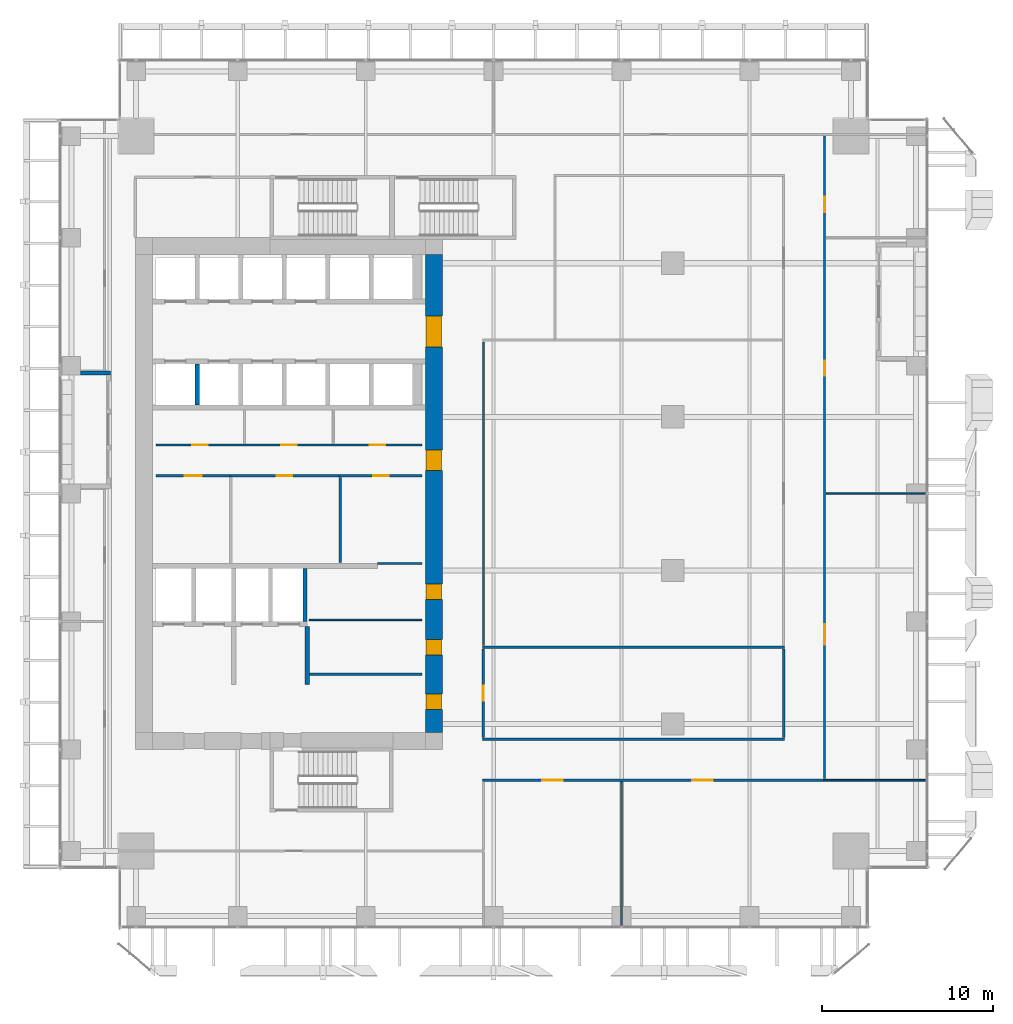
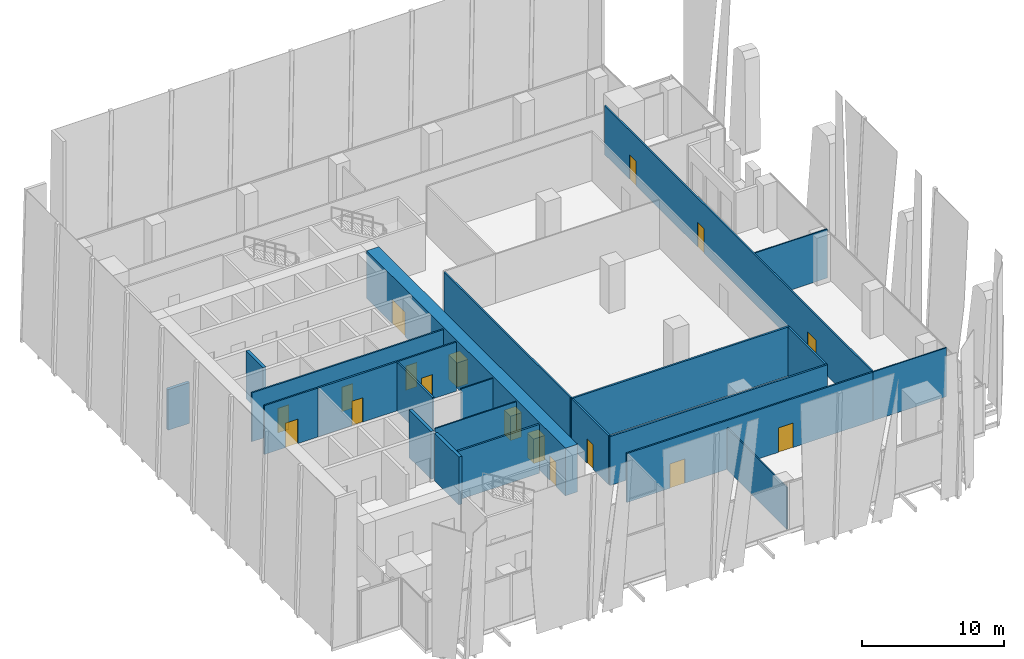
# One storey, part 28 of 35: 23 walls, 17 doors, 17 openings.
"""IFC4 building model written with IfcOpenShell, lengths in metres."""

from ifc_helpers import new_model, si_unit, direction, frame, frame_2d, origin, place, context, subcontext, project, spatial, rectangle, extrude, source, transform, mapped, material, layer, layer_set, type_object, element, fill, save


model = new_model("IFC4")

# Units and contexts
model_context = context("Model", 3, precision=1e-05, world=origin(), true_north=direction((0.0, 1.0)))
body_context = subcontext(model_context, "Body", "Model", "MODEL_VIEW")
ifc_project = project(units=[si_unit("LENGTHUNIT", "METRE"), si_unit("AREAUNIT", "SQUARE_METRE"), si_unit("VOLUMEUNIT", "CUBIC_METRE"), si_unit("PLANEANGLEUNIT", "RADIAN"), si_unit("MASSUNIT", "GRAM", prefix="KILO")], contexts=[model_context])

# Site, building, storey
site_placement = place(None, origin())
site = spatial("IfcSite", under=ifc_project, at=site_placement, CompositionType="ELEMENT")
building_placement = place(site_placement, origin())
building = spatial("IfcBuilding", under=site, at=building_placement, Name="Khomas Fold Tower", CompositionType="ELEMENT")
storey_placement = place(building_placement, frame((0.0, 0.0, 127.89990234375)))
storey = spatial("IfcBuildingStorey", under=building, at=storey_placement, Name="L27", CompositionType="ELEMENT", Elevation=127.89990234375)

# Wall, openings, doors
ifc_material_1 = material(Name="Concrete C70/85", Category="concrete")
ifc_layer_1 = layer(ifc_material_1, 1.0)
ifc_layer_set_1 = layer_set([ifc_layer_1], Name="Concrete C70/85")
wall_type_1 = type_object("IfcWallType", Name="Core wall 1000", PredefinedType="SHEAR", material=ifc_layer_set_1)
shared_shape_1 = source(origin(), body_context, "Body", "SweptSolid", [
    extrude(rectangle(XDim=28.0, YDim=1.0, at=frame_2d((14.0, 0.0))), origin(), (0.0, 0.0, 1.0), 4.10009765625),
])
wall_1_placement = place(storey_placement, frame((23.5, 13.0, 0.0), z_axis=(0.0, 0.0, 1.0), x_axis=(0.0, 1.0, 0.0)))
wall_1 = element("IfcWall", 1, at=wall_1_placement, inside=storey, type_object=wall_type_1, Name="Core wall CW-L-E-L21", PredefinedType="SHEAR", context=body_context, shape_type="MappedRepresentation", body=[
    mapped(shared_shape_1, transform((0.0, 0.0, 0.0))),
])
shared_shape_2 = source(origin(), body_context, "Body", "SweptSolid", [
    extrude(rectangle(XDim=1.800048828125, YDim=2.10009765625, at=frame_2d((0.89990234375, 1.050048828125))), frame((0.0, 0.510009765625, 0.0), z_axis=(0.0, -1.0, 0.0), x_axis=(1.0, 0.0, 0.0)), (0.0, 0.0, 1.0), 1.02001953125),
])
opening_1_placement = place(wall_1_placement, frame((22.60009765625, 0.0, 0.0)))
opening_1 = element("IfcOpeningElement", 2, at=opening_1_placement, cuts=wall_1, Name="Opening 0015", PredefinedType="OPENING", context=body_context, shape_type="MappedRepresentation", body=[
    mapped(shared_shape_2, transform((0.0, 0.0, 0.0))),
])
shared_shape_3 = source(origin(), body_context, "Body", "SweptSolid", [
    extrude(rectangle(XDim=1.199951171875, YDim=2.10009765625, at=frame_2d((0.60009765625, 1.050048828125))), frame((0.0, 0.510009765625, 0.0), z_axis=(0.0, -1.0, 0.0), x_axis=(1.0, 0.0, 0.0)), (0.0, 0.0, 1.0), 1.02001953125),
])
opening_2_placement = place(wall_1_placement, frame((15.35009765625, 0.0, 0.0)))
opening_2 = element("IfcOpeningElement", 3, at=opening_2_placement, cuts=wall_1, Name="Opening 0001", PredefinedType="OPENING", context=body_context, shape_type="MappedRepresentation", body=[
    mapped(shared_shape_3, transform((0.0, 0.0, 0.0))),
])
shared_shape_4 = source(origin(), body_context, "Body", "SweptSolid", [
    extrude(rectangle(XDim=0.89990234375, YDim=2.10009765625, at=frame_2d((0.449951171875, 1.050048828125))), frame((0.0, 0.510009765625, 0.0), z_axis=(0.0, -1.0, 0.0), x_axis=(1.0, 0.0, 0.0)), (0.0, 0.0, 1.0), 1.02001953125),
])
opening_3_placement = place(wall_1_placement, frame((1.35009765625, 0.0, 0.0)))
opening_3 = element("IfcOpeningElement", 4, at=opening_3_placement, cuts=wall_1, Name="Opening 0003", PredefinedType="OPENING", context=body_context, shape_type="MappedRepresentation", body=[
    mapped(shared_shape_4, transform((0.0, 0.0, 0.0))),
])
opening_4_placement = place(wall_1_placement, frame((4.550048828125, 0.0, 0.0)))
opening_4 = element("IfcOpeningElement", 5, at=opening_4_placement, cuts=wall_1, Name="Opening 0008", PredefinedType="OPENING", context=body_context, shape_type="MappedRepresentation", body=[
    mapped(shared_shape_4, transform((0.0, 0.0, 0.0))),
])
opening_5_placement = place(wall_1_placement, frame((7.800048828125, 0.0, 0.0)))
opening_5 = element("IfcOpeningElement", 6, at=opening_5_placement, cuts=wall_1, Name="Opening 0008", PredefinedType="OPENING", context=body_context, shape_type="MappedRepresentation", body=[
    mapped(shared_shape_4, transform((0.0, 0.0, 0.0))),
])
ifc_material_2 = material(Name="Steel door leaf", Category="steel")
door_type_1 = type_object("IfcDoorType", Name="Lobby door 1800x2100", OperationType="DOUBLE_DOOR_SINGLE_SWING", PredefinedType="DOOR", material=ifc_material_2)
shared_shape_5 = source(origin(), body_context, "Body", "SweptSolid", [
    extrude(rectangle(XDim=1.800048828125, YDim=2.10009765625, at=frame_2d((0.89990234375, 1.050048828125))), frame((0.0, 0.449951171875, 0.0), z_axis=(0.0, -1.0, 0.0), x_axis=(1.0, 0.0, 0.0)), (0.0, 0.0, 1.0), 0.89990234375),
])
door_1_placement = place(opening_1_placement, origin())
door_1 = element("IfcDoor", 7, at=door_1_placement, inside=storey, type_object=door_type_1, Name="Lobby door", OperationType="DOUBLE_DOOR_SINGLE_SWING", OverallHeight=2.10009765625, OverallWidth=1.800048828125, PredefinedType="DOOR", context=body_context, shape_type="MappedRepresentation", body=[
    mapped(shared_shape_5, transform((0.0, 0.0, 0.0))),
])
fill(opening_1, door_1)
ifc_material_3 = material(Name="Timber door leaf", Category="wood")
door_type_2 = type_object("IfcDoorType", Name="Door 1200x2100 right-hand", OperationType="SINGLE_SWING_RIGHT", PredefinedType="DOOR", material=ifc_material_3)
shared_shape_6 = source(origin(), body_context, "Body", "SweptSolid", [
    extrude(rectangle(XDim=1.199951171875, YDim=2.10009765625, at=frame_2d((0.60009765625, 1.050048828125))), frame((0.0, 0.449951171875, 0.0), z_axis=(0.0, -1.0, 0.0), x_axis=(1.0, 0.0, 0.0)), (0.0, 0.0, 1.0), 0.89990234375),
])
door_2_placement = place(opening_2_placement, origin())
door_2 = element("IfcDoor", 8, at=door_2_placement, inside=storey, type_object=door_type_2, Name="Door", OperationType="SINGLE_SWING_RIGHT", OverallHeight=2.10009765625, OverallWidth=1.199951171875, PredefinedType="DOOR", context=body_context, shape_type="MappedRepresentation", body=[
    mapped(shared_shape_6, transform((0.0, 0.0, 0.0))),
])
fill(opening_2, door_2)
ifc_material_4 = material(Name="Steel door leaf", Category="steel")
door_type_3 = type_object("IfcDoorType", Name="Plant room door 900x2100 right-hand", OperationType="SINGLE_SWING_RIGHT", PredefinedType="DOOR", material=ifc_material_4)
shared_shape_7 = source(origin(), body_context, "Body", "SweptSolid", [
    extrude(rectangle(XDim=0.89990234375, YDim=2.10009765625, at=frame_2d((0.449951171875, 1.050048828125))), frame((0.0, 0.449951171875, 0.0), z_axis=(0.0, -1.0, 0.0), x_axis=(1.0, 0.0, 0.0)), (0.0, 0.0, 1.0), 0.89990234375),
])
door_3_placement = place(opening_3_placement, origin())
door_3 = element("IfcDoor", 9, at=door_3_placement, inside=storey, type_object=door_type_3, Name="Plant room door", OperationType="SINGLE_SWING_RIGHT", OverallHeight=2.10009765625, OverallWidth=0.89990234375, PredefinedType="DOOR", context=body_context, shape_type="MappedRepresentation", body=[
    mapped(shared_shape_7, transform((0.0, 0.0, 0.0))),
])
fill(opening_3, door_3)
ifc_material_5 = material(Name="Timber door leaf", Category="wood")
door_type_4 = type_object("IfcDoorType", Name="Door 900x2100 right-hand", OperationType="SINGLE_SWING_RIGHT", PredefinedType="DOOR", material=ifc_material_5)
door_4_placement = place(opening_4_placement, origin())
door_4 = element("IfcDoor", 10, at=door_4_placement, inside=storey, type_object=door_type_4, Name="Door", OperationType="SINGLE_SWING_RIGHT", OverallHeight=2.10009765625, OverallWidth=0.89990234375, PredefinedType="DOOR", context=body_context, shape_type="MappedRepresentation", body=[
    mapped(shared_shape_7, transform((0.0, 0.0, 0.0))),
])
fill(opening_4, door_4)
door_5_placement = place(opening_5_placement, origin())
door_5 = element("IfcDoor", 11, at=door_5_placement, inside=storey, type_object=door_type_4, Name="Door", OperationType="SINGLE_SWING_RIGHT", OverallHeight=2.10009765625, OverallWidth=0.89990234375, PredefinedType="DOOR", context=body_context, shape_type="MappedRepresentation", body=[
    mapped(shared_shape_7, transform((0.0, 0.0, 0.0))),
])
fill(opening_5, door_5)

# Walls
ifc_material_6 = material(Name="Concrete C50/60", Category="concrete")
ifc_layer_2 = layer(ifc_material_6, 0.25)
ifc_layer_set_2 = layer_set([ifc_layer_2], Name="Concrete C50/60")
wall_type_2 = type_object("IfcWallType", Name="Shaft wall 250", PredefinedType="STANDARD", material=ifc_layer_set_2)
shared_shape_8 = source(origin(), body_context, "Body", "SweptSolid", [
    extrude(rectangle(XDim=3.10009765625, YDim=0.25, at=frame_2d((1.550048828125, 0.0))), origin(), (0.0, 0.0, 1.0), 4.10009765625),
])
wall_2_placement = place(storey_placement, frame((15.949951171875, 19.5, 0.0), z_axis=(0.0, 0.0, 1.0), x_axis=(0.0, 1.0, 0.0)))
element("IfcWall", 12, at=wall_2_placement, inside=storey, type_object=wall_type_2, Name="Core wall SW-FS-PE", PredefinedType="STANDARD", context=body_context, shape_type="MappedRepresentation", body=[
    mapped(shared_shape_8, transform((0.0, 0.0, 0.0))),
])
shared_shape_9 = source(origin(), body_context, "Body", "SweptSolid", [
    extrude(rectangle(XDim=2.400146484375, YDim=0.25, at=frame_2d((1.2001953125, 0.0))), origin(), (0.0, 0.0, 1.0), 4.10009765625),
])
wall_3_placement = place(storey_placement, frame((9.625, 32.199951171875, 0.0), z_axis=(0.0, 0.0, 1.0), x_axis=(0.0, 1.0, 0.0)))
element("IfcWall", 13, at=wall_3_placement, inside=storey, type_object=wall_type_2, Name="Core wall SW-LRS-P1", PredefinedType="STANDARD", context=body_context, shape_type="MappedRepresentation", body=[
    mapped(shared_shape_9, transform((0.0, 0.0, 0.0))),
])
ifc_material_7 = material(Name="Concrete C50/60", Category="concrete")
ifc_layer_3 = layer(ifc_material_7, 0.25)
ifc_layer_set_3 = layer_set([ifc_layer_3], Name="Concrete C50/60")
wall_type_3 = type_object("IfcWallType", Name="Lobby wall 250", PredefinedType="STANDARD", material=ifc_layer_set_3)
shared_shape_10 = source(origin(), body_context, "Body", "SweptSolid", [
    extrude(rectangle(XDim=3.39990234375, YDim=0.25, at=frame_2d((1.699951171875, 0.0))), origin(), (0.0, 0.0, 1.0), 4.10009765625),
])
wall_4_placement = place(storey_placement, frame((16.074951171875, 15.800048828125, 0.0), z_axis=(0.0, 0.0, 1.0), x_axis=(0.0, 1.0, 0.0)))
element("IfcWall", 14, at=wall_4_placement, inside=storey, type_object=wall_type_3, Name="Core wall SW-FS-LOB-E", PredefinedType="STANDARD", context=body_context, shape_type="MappedRepresentation", body=[
    mapped(shared_shape_10, transform((0.0, 0.0, 0.0))),
])
ifc_material_8 = material(Name="Natural stone", Category="masonry")
ifc_layer_4 = layer(ifc_material_8, 0.0400390625)
ifc_material_9 = material(Name="Mineral wool insulation", Category="insulation")
ifc_layer_5 = layer(ifc_material_9, 0.10009765625)
ifc_material_10 = material(Name="Masonry", Category="masonry")
ifc_layer_6 = layer(ifc_material_10, 0.110107421875)
ifc_layer_set_4 = layer_set([ifc_layer_4, ifc_layer_5, ifc_layer_6], Name="Stone-faced insulated masonry")
wall_type_4 = type_object("IfcWallType", Name="BL-Balcony wall", PredefinedType="SOLIDWALL", material=ifc_layer_set_4)
shared_shape_11 = source(origin(), body_context, "Body", "SweptSolid", [
    extrude(rectangle(XDim=1.75, YDim=0.25, at=frame_2d((0.875, 0.0))), origin(), (0.0, 0.0, 1.0), 3.5),
])
wall_5_placement = place(storey_placement, frame((2.800048828125, 34.074951171875, 0.0), z_axis=(0.0, 0.0, 1.0), x_axis=(1.0, 0.0, 0.0)))
element("IfcWall", 15, at=wall_5_placement, inside=storey, type_object=wall_type_4, Name="Balcony return wall BAL-L27-W3-hi", PredefinedType="SOLIDWALL", context=body_context, shape_type="MappedRepresentation", body=[
    mapped(shared_shape_11, transform((0.0, 0.0, 0.0))),
])
ifc_material_11 = material(Name="Plasterboard partition")
ifc_layer_7 = layer(ifc_material_11, 0.10009765625)
ifc_layer_set_5 = layer_set([ifc_layer_7], Name="Plasterboard partition")
wall_type_5 = type_object("IfcWallType", Name="Partition PW1 100", PredefinedType="PARTITIONING", material=ifc_layer_set_5)
shared_shape_12 = source(origin(), body_context, "Body", "SweptSolid", [
    extrude(rectangle(XDim=8.4501953125, YDim=0.10009765625, at=frame_2d((4.22509765625, 0.0))), origin(), (0.0, 0.0, 1.0), 3.60009765625),
])
wall_6_placement = place(storey_placement, frame((34.5, 1.64990234375, 0.0), z_axis=(0.0, 0.0, 1.0), x_axis=(0.0, 1.0, 0.0)))
element("IfcWall", 16, at=wall_6_placement, inside=storey, type_object=wall_type_5, Name="Partition", PredefinedType="PARTITIONING", context=body_context, shape_type="MappedRepresentation", body=[
    mapped(shared_shape_12, transform((0.0, 0.0, 0.0))),
])

# Wall, openings, doors
ifc_material_12 = material(Name="Plasterboard partition")
ifc_layer_8 = layer(ifc_material_12, 0.125)
ifc_layer_set_6 = layer_set([ifc_layer_8], Name="Plasterboard partition")
wall_type_6 = type_object("IfcWallType", Name="Partition PW2 125", PredefinedType="PARTITIONING", material=ifc_layer_set_6)
shared_shape_13 = source(origin(), body_context, "Body", "SweptSolid", [
    extrude(rectangle(XDim=20.0, YDim=0.125, at=frame_2d((10.0, 0.0))), origin(), (0.0, 0.0, 1.0), 4.2001953125),
])
wall_7_placement = place(storey_placement, frame((26.35009765625, 10.199951171875, 0.0), z_axis=(0.0, 0.0, 1.0), x_axis=(1.0, 0.0, 0.0)))
wall_7 = element("IfcWall", 17, at=wall_7_placement, inside=storey, type_object=wall_type_6, Name="Partition", PredefinedType="PARTITIONING", context=body_context, shape_type="MappedRepresentation", body=[
    mapped(shared_shape_13, transform((0.0, 0.0, 0.0))),
])
shared_shape_14 = source(origin(), body_context, "Body", "SweptSolid", [
    extrude(rectangle(XDim=1.199951171875, YDim=2.10009765625, at=frame_2d((0.60009765625, 1.050048828125))), frame((0.0, 0.072509765625, 0.0), z_axis=(0.0, -1.0, 0.0), x_axis=(1.0, 0.0, 0.0)), (0.0, 0.0, 1.0), 0.14501953125),
])
opening_6_placement = place(wall_7_placement, frame((3.5, 0.0, 0.0)))
opening_6 = element("IfcOpeningElement", 18, at=opening_6_placement, cuts=wall_7, Name="Opening 0001", PredefinedType="OPENING", context=body_context, shape_type="MappedRepresentation", body=[
    mapped(shared_shape_14, transform((0.0, 0.0, 0.0))),
])
opening_7_placement = place(wall_7_placement, frame((12.300048828125, 0.0, 0.0)))
opening_7 = element("IfcOpeningElement", 19, at=opening_7_placement, cuts=wall_7, Name="Opening 0013", PredefinedType="OPENING", context=body_context, shape_type="MappedRepresentation", body=[
    mapped(shared_shape_14, transform((0.0, 0.0, 0.0))),
])
shared_shape_15 = source(origin(), body_context, "Body", "SweptSolid", [
    extrude(rectangle(XDim=1.199951171875, YDim=2.10009765625, at=frame_2d((0.60009765625, 1.050048828125))), frame((0.0, 0.02490234375, 0.0), z_axis=(0.0, -1.0, 0.0), x_axis=(1.0, 0.0, 0.0)), (0.0, 0.0, 1.0), 0.050048828125),
])
door_6_placement = place(opening_6_placement, origin())
door_6 = element("IfcDoor", 20, at=door_6_placement, inside=storey, type_object=door_type_2, Name="Door", OperationType="SINGLE_SWING_RIGHT", OverallHeight=2.10009765625, OverallWidth=1.199951171875, PredefinedType="DOOR", context=body_context, shape_type="MappedRepresentation", body=[
    mapped(shared_shape_15, transform((0.0, 0.0, 0.0))),
])
fill(opening_6, door_6)
ifc_material_13 = material(Name="Timber door leaf", Category="wood")
door_type_5 = type_object("IfcDoorType", Name="Door 1200x2100 left-hand", OperationType="SINGLE_SWING_LEFT", PredefinedType="DOOR", material=ifc_material_13)
door_7_placement = place(opening_7_placement, origin())
door_7 = element("IfcDoor", 21, at=door_7_placement, inside=storey, type_object=door_type_5, Name="Door", OperationType="SINGLE_SWING_LEFT", OverallHeight=2.10009765625, OverallWidth=1.199951171875, PredefinedType="DOOR", context=body_context, shape_type="MappedRepresentation", body=[
    mapped(shared_shape_15, transform((0.0, 0.0, 0.0))),
])
fill(opening_7, door_7)

# Wall
shared_shape_16 = source(origin(), body_context, "Body", "SweptSolid", [
    extrude(rectangle(XDim=6.0, YDim=0.10009765625, at=frame_2d((3.0, 0.0))), origin(), (0.0, 0.0, 1.0), 4.2001953125),
])
wall_8_placement = place(storey_placement, frame((46.35009765625, 10.199951171875, 0.0), z_axis=(0.0, 0.0, 1.0), x_axis=(1.0, 0.0, 0.0)))
element("IfcWall", 22, at=wall_8_placement, inside=storey, type_object=wall_type_5, Name="Partition", PredefinedType="PARTITIONING", context=body_context, shape_type="MappedRepresentation", body=[
    mapped(shared_shape_16, transform((0.0, 0.0, 0.0))),
])

# Wall, openings, doors
shared_shape_17 = source(origin(), body_context, "Body", "SweptSolid", [
    extrude(rectangle(XDim=37.64990234375, YDim=0.125, at=frame_2d((18.824951171875, 0.0))), origin(), (0.0, 0.0, 1.0), 4.2001953125),
])
wall_9_placement = place(storey_placement, frame((46.39990234375, 10.300048828125, 0.0), z_axis=(0.0, 0.0, 1.0), x_axis=(0.0, 1.0, 0.0)))
wall_9 = element("IfcWall", 23, at=wall_9_placement, inside=storey, type_object=wall_type_6, Name="Partition", PredefinedType="PARTITIONING", context=body_context, shape_type="MappedRepresentation", body=[
    mapped(shared_shape_17, transform((0.0, 0.0, 0.0))),
])
opening_8_placement = place(wall_9_placement, frame((7.85009765625, 0.0, 0.0)))
opening_8 = element("IfcOpeningElement", 24, at=opening_8_placement, cuts=wall_9, Name="Opening 0001", PredefinedType="OPENING", context=body_context, shape_type="MappedRepresentation", body=[
    mapped(shared_shape_14, transform((0.0, 0.0, 0.0))),
])
shared_shape_18 = source(origin(), body_context, "Body", "SweptSolid", [
    extrude(rectangle(XDim=0.89990234375, YDim=2.10009765625, at=frame_2d((0.449951171875, 1.050048828125))), frame((0.0, 0.072509765625, 0.0), z_axis=(0.0, -1.0, 0.0), x_axis=(1.0, 0.0, 0.0)), (0.0, 0.0, 1.0), 0.14501953125),
])
opening_9_placement = place(wall_9_placement, frame((23.60009765625, 0.0, 0.0)))
opening_9 = element("IfcOpeningElement", 25, at=opening_9_placement, cuts=wall_9, Name="Opening 0007", PredefinedType="OPENING", context=body_context, shape_type="MappedRepresentation", body=[
    mapped(shared_shape_18, transform((0.0, 0.0, 0.0))),
])
opening_10_placement = place(wall_9_placement, frame((33.199951171875, 0.0, 0.0)))
opening_10 = element("IfcOpeningElement", 26, at=opening_10_placement, cuts=wall_9, Name="Opening 0008", PredefinedType="OPENING", context=body_context, shape_type="MappedRepresentation", body=[
    mapped(shared_shape_18, transform((0.0, 0.0, 0.0))),
])
ifc_material_14 = material(Name="Timber door leaf", Category="wood")
door_type_6 = type_object("IfcDoorType", Name="Door 900x2100 left-hand", OperationType="SINGLE_SWING_LEFT", PredefinedType="DOOR", material=ifc_material_14)
shared_shape_19 = source(origin(), body_context, "Body", "SweptSolid", [
    extrude(rectangle(XDim=0.89990234375, YDim=2.10009765625, at=frame_2d((0.449951171875, 1.050048828125))), frame((0.0, 0.02490234375, 0.0), z_axis=(0.0, -1.0, 0.0), x_axis=(1.0, 0.0, 0.0)), (0.0, 0.0, 1.0), 0.050048828125),
])
door_8_placement = place(opening_9_placement, origin())
door_8 = element("IfcDoor", 27, at=door_8_placement, inside=storey, type_object=door_type_6, Name="Door", OperationType="SINGLE_SWING_LEFT", OverallHeight=2.10009765625, OverallWidth=0.89990234375, PredefinedType="DOOR", context=body_context, shape_type="MappedRepresentation", body=[
    mapped(shared_shape_19, transform((0.0, 0.0, 0.0))),
])
fill(opening_9, door_8)
door_9_placement = place(opening_10_placement, origin())
door_9 = element("IfcDoor", 28, at=door_9_placement, inside=storey, type_object=door_type_4, Name="Door", OperationType="SINGLE_SWING_RIGHT", OverallHeight=2.10009765625, OverallWidth=0.89990234375, PredefinedType="DOOR", context=body_context, shape_type="MappedRepresentation", body=[
    mapped(shared_shape_19, transform((0.0, 0.0, 0.0))),
])
fill(opening_10, door_9)
door_10_placement = place(opening_8_placement, origin())
door_10 = element("IfcDoor", 29, at=door_10_placement, inside=storey, type_object=door_type_2, Name="Door", OperationType="SINGLE_SWING_RIGHT", OverallHeight=2.10009765625, OverallWidth=1.199951171875, PredefinedType="DOOR", context=body_context, shape_type="MappedRepresentation", body=[
    mapped(shared_shape_15, transform((0.0, 0.0, 0.0))),
])
fill(opening_8, door_10)

# Wall
ifc_material_15 = material(Name="Plasterboard fire partition")
ifc_layer_9 = layer(ifc_material_15, 0.14990234375)
ifc_layer_set_7 = layer_set([ifc_layer_9], Name="Plasterboard fire partition")
wall_type_7 = type_object("IfcWallType", Name="Plant room wall PW3 150", PredefinedType="PARTITIONING", material=ifc_layer_set_7)
shared_shape_20 = source(origin(), body_context, "Body", "SweptSolid", [
    extrude(rectangle(XDim=6.60009765625, YDim=0.14990234375, at=frame_2d((3.300048828125, 0.0))), origin(), (0.0, 0.0, 1.0), 4.2001953125),
])
wall_10_placement = place(storey_placement, frame((16.199951171875, 16.39990234375, 0.0), z_axis=(0.0, 0.0, 1.0), x_axis=(1.0, 0.0, 0.0)))
element("IfcWall", 30, at=wall_10_placement, inside=storey, type_object=wall_type_7, Name="Plant room wall", PredefinedType="PARTITIONING", context=body_context, shape_type="MappedRepresentation", body=[
    mapped(shared_shape_20, transform((0.0, 0.0, 0.0))),
])

# Wall, openings, doors
shared_shape_21 = source(origin(), body_context, "Body", "SweptSolid", [
    extrude(rectangle(XDim=15.60009765625, YDim=0.125, at=frame_2d((7.800048828125, 0.0))), origin(), (0.0, 0.0, 1.0), 4.2001953125),
])
wall_11_placement = place(storey_placement, frame((7.199951171875, 29.85009765625, 0.0), z_axis=(0.0, 0.0, 1.0), x_axis=(1.0, 0.0, 0.0)))
wall_11 = element("IfcWall", 31, at=wall_11_placement, inside=storey, type_object=wall_type_6, Name="Partition", PredefinedType="PARTITIONING", context=body_context, shape_type="MappedRepresentation", body=[
    mapped(shared_shape_21, transform((0.0, 0.0, 0.0))),
])
opening_11_placement = place(wall_11_placement, frame((2.14990234375, 0.0, 0.0)))
opening_11 = element("IfcOpeningElement", 32, at=opening_11_placement, cuts=wall_11, Name="Opening 0005", PredefinedType="OPENING", context=body_context, shape_type="MappedRepresentation", body=[
    mapped(shared_shape_18, transform((0.0, 0.0, 0.0))),
])
opening_12_placement = place(wall_11_placement, frame((7.35009765625, 0.0, 0.0)))
opening_12 = element("IfcOpeningElement", 33, at=opening_12_placement, cuts=wall_11, Name="Opening 0004", PredefinedType="OPENING", context=body_context, shape_type="MappedRepresentation", body=[
    mapped(shared_shape_18, transform((0.0, 0.0, 0.0))),
])
opening_13_placement = place(wall_11_placement, frame((12.550048828125, 0.0, 0.0)))
opening_13 = element("IfcOpeningElement", 34, at=opening_13_placement, cuts=wall_11, Name="Opening 0007", PredefinedType="OPENING", context=body_context, shape_type="MappedRepresentation", body=[
    mapped(shared_shape_18, transform((0.0, 0.0, 0.0))),
])
ifc_material_16 = material(Name="Timber door leaf", Category="wood")
door_type_7 = type_object("IfcDoorType", Name="WC door 900x2100 left-hand", OperationType="SINGLE_SWING_LEFT", PredefinedType="DOOR", material=ifc_material_16)
door_11_placement = place(opening_11_placement, origin())
door_11 = element("IfcDoor", 35, at=door_11_placement, inside=storey, type_object=door_type_7, Name="WC door", OperationType="SINGLE_SWING_LEFT", OverallHeight=2.10009765625, OverallWidth=0.89990234375, PredefinedType="DOOR", context=body_context, shape_type="MappedRepresentation", body=[
    mapped(shared_shape_19, transform((0.0, 0.0, 0.0))),
])
fill(opening_11, door_11)
ifc_material_17 = material(Name="Timber door leaf", Category="wood")
door_type_8 = type_object("IfcDoorType", Name="WC door 900x2100 right-hand", OperationType="SINGLE_SWING_RIGHT", PredefinedType="DOOR", material=ifc_material_17)
door_12_placement = place(opening_12_placement, origin())
door_12 = element("IfcDoor", 36, at=door_12_placement, inside=storey, type_object=door_type_8, Name="WC door", OperationType="SINGLE_SWING_RIGHT", OverallHeight=2.10009765625, OverallWidth=0.89990234375, PredefinedType="DOOR", context=body_context, shape_type="MappedRepresentation", body=[
    mapped(shared_shape_19, transform((0.0, 0.0, 0.0))),
])
fill(opening_12, door_12)
door_13_placement = place(opening_13_placement, origin())
door_13 = element("IfcDoor", 37, at=door_13_placement, inside=storey, type_object=door_type_6, Name="Door", OperationType="SINGLE_SWING_LEFT", OverallHeight=2.10009765625, OverallWidth=0.89990234375, PredefinedType="DOOR", context=body_context, shape_type="MappedRepresentation", body=[
    mapped(shared_shape_19, transform((0.0, 0.0, 0.0))),
])
fill(opening_13, door_13)

# Walls
shared_shape_22 = source(origin(), body_context, "Body", "SweptSolid", [
    extrude(rectangle(XDim=5.85009765625, YDim=0.10009765625, at=frame_2d((2.925048828125, 0.0))), origin(), (0.0, 0.0, 1.0), 4.2001953125),
])
wall_12_placement = place(storey_placement, frame((46.5, 27.0, 0.0), z_axis=(0.0, 0.0, 1.0), x_axis=(1.0, 0.0, 0.0)))
element("IfcWall", 38, at=wall_12_placement, inside=storey, type_object=wall_type_5, Name="Partition", PredefinedType="PARTITIONING", context=body_context, shape_type="MappedRepresentation", body=[
    mapped(shared_shape_22, transform((0.0, 0.0, 0.0))),
])
shared_shape_23 = source(origin(), body_context, "Body", "SweptSolid", [
    extrude(rectangle(XDim=17.699951171875, YDim=0.14990234375, at=frame_2d((8.85009765625, 0.0))), origin(), (0.0, 0.0, 1.0), 4.2001953125),
])
for number, where, z_axis, x_axis, name in (
    (39, (26.35009765625, 12.60009765625, 0.0), (0.0, 0.0, 1.0), (1.0, 0.0, 0.0), "Plant room wall"),
    (40, (26.35009765625, 18.0, 0.0), (0.0, 0.0, 1.0), (1.0, 0.0, 0.0), "Plant room wall"),
):
    element("IfcWall", number, at=place(storey_placement, frame(where, z_axis=z_axis, x_axis=x_axis)), inside=storey, type_object=wall_type_7, Name=name, PredefinedType="PARTITIONING", context=body_context, shape_type="MappedRepresentation", body=[
        mapped(shared_shape_23, transform((0.0, 0.0, 0.0))),
    ])

# Wall, opening, door
shared_shape_24 = source(origin(), body_context, "Body", "SweptSolid", [
    extrude(rectangle(XDim=5.199951171875, YDim=0.14990234375, at=frame_2d((2.60009765625, 0.0))), origin(), (0.0, 0.0, 1.0), 4.2001953125),
])
wall_13_placement = place(storey_placement, frame((26.39990234375, 12.699951171875, 0.0), z_axis=(0.0, 0.0, 1.0), x_axis=(0.0, 1.0, 0.0)))
wall_13 = element("IfcWall", 41, at=wall_13_placement, inside=storey, type_object=wall_type_7, Name="Plant room wall", PredefinedType="PARTITIONING", context=body_context, shape_type="MappedRepresentation", body=[
    mapped(shared_shape_24, transform((0.0, 0.0, 0.0))),
])
shared_shape_25 = source(origin(), body_context, "Body", "SweptSolid", [
    extrude(rectangle(XDim=0.89990234375, YDim=2.10009765625, at=frame_2d((0.449951171875, 1.050048828125))), frame((0.0, 0.0849609375, 0.0), z_axis=(0.0, -1.0, 0.0), x_axis=(1.0, 0.0, 0.0)), (0.0, 0.0, 1.0), 0.169921875),
])
opening_14_placement = place(wall_13_placement, frame((2.14990234375, 0.0, 0.0)))
opening_14 = element("IfcOpeningElement", 42, at=opening_14_placement, cuts=wall_13, Name="Opening 0003", PredefinedType="OPENING", context=body_context, shape_type="MappedRepresentation", body=[
    mapped(shared_shape_25, transform((0.0, 0.0, 0.0))),
])
door_14_placement = place(opening_14_placement, origin())
door_14 = element("IfcDoor", 43, at=door_14_placement, inside=storey, type_object=door_type_3, Name="Plant room door", OperationType="SINGLE_SWING_RIGHT", OverallHeight=2.10009765625, OverallWidth=0.89990234375, PredefinedType="DOOR", context=body_context, shape_type="MappedRepresentation", body=[
    mapped(shared_shape_19, transform((0.0, 0.0, 0.0))),
])
fill(opening_14, door_14)

# Walls
wall_14_placement = place(storey_placement, frame((44.0, 12.699951171875, 0.0), z_axis=(0.0, 0.0, 1.0), x_axis=(0.0, 1.0, 0.0)))
element("IfcWall", 44, at=wall_14_placement, inside=storey, type_object=wall_type_7, Name="Plant room wall", PredefinedType="PARTITIONING", context=body_context, shape_type="MappedRepresentation", body=[
    mapped(shared_shape_24, transform((0.0, 0.0, 0.0))),
])
shared_shape_26 = source(origin(), body_context, "Body", "SweptSolid", [
    extrude(rectangle(XDim=17.7998046875, YDim=0.125, at=frame_2d((8.89990234375, 0.0))), origin(), (0.0, 0.0, 1.0), 4.2001953125),
])
wall_15_placement = place(storey_placement, frame((26.39990234375, 18.10009765625, 0.0), z_axis=(0.0, 0.0, 1.0), x_axis=(0.0, 1.0, 0.0)))
element("IfcWall", 45, at=wall_15_placement, inside=storey, type_object=wall_type_6, Name="Partition", PredefinedType="PARTITIONING", context=body_context, shape_type="MappedRepresentation", body=[
    mapped(shared_shape_26, transform((0.0, 0.0, 0.0))),
])
shared_shape_27 = source(origin(), body_context, "Body", "SweptSolid", [
    extrude(rectangle(XDim=6.60009765625, YDim=0.10009765625, at=frame_2d((3.300048828125, 0.0))), origin(), (0.0, 0.0, 1.0), 4.2001953125),
])
wall_16_placement = place(storey_placement, frame((16.199951171875, 19.60009765625, 0.0), z_axis=(0.0, 0.0, 1.0), x_axis=(1.0, 0.0, 0.0)))
element("IfcWall", 46, at=wall_16_placement, inside=storey, type_object=wall_type_5, Name="Partition", PredefinedType="PARTITIONING", context=body_context, shape_type="MappedRepresentation", body=[
    mapped(shared_shape_27, transform((0.0, 0.0, 0.0))),
])
shared_shape_28 = source(origin(), body_context, "Body", "SweptSolid", [
    extrude(rectangle(XDim=2.60009765625, YDim=0.10009765625, at=frame_2d((1.300048828125, 0.0))), origin(), (0.0, 0.0, 1.0), 4.2001953125),
])
wall_17_placement = place(storey_placement, frame((20.199951171875, 22.89990234375, 0.0), z_axis=(0.0, 0.0, 1.0), x_axis=(1.0, 0.0, 0.0)))
element("IfcWall", 47, at=wall_17_placement, inside=storey, type_object=wall_type_5, Name="Partition", PredefinedType="PARTITIONING", context=body_context, shape_type="MappedRepresentation", body=[
    mapped(shared_shape_28, transform((0.0, 0.0, 0.0))),
])
shared_shape_29 = source(origin(), body_context, "Body", "SweptSolid", [
    extrude(rectangle(XDim=5.0, YDim=0.14990234375, at=frame_2d((2.5, 0.0))), origin(), (0.0, 0.0, 1.0), 4.2001953125),
])
wall_18_placement = place(storey_placement, frame((18.0, 22.949951171875, 0.0), z_axis=(0.0, 0.0, 1.0), x_axis=(0.0, 1.0, 0.0)))
element("IfcWall", 48, at=wall_18_placement, inside=storey, type_object=wall_type_7, Name="Plant room wall", PredefinedType="PARTITIONING", context=body_context, shape_type="MappedRepresentation", body=[
    mapped(shared_shape_29, transform((0.0, 0.0, 0.0))),
])

# Wall, opening, door
shared_shape_30 = source(origin(), body_context, "Body", "SweptSolid", [
    extrude(rectangle(XDim=4.35009765625, YDim=0.125, at=frame_2d((2.175048828125, 0.0))), origin(), (0.0, 0.0, 1.0), 4.2001953125),
])
wall_19_placement = place(storey_placement, frame((7.199951171875, 28.050048828125, 0.0), z_axis=(0.0, 0.0, 1.0), x_axis=(1.0, 0.0, 0.0)))
wall_19 = element("IfcWall", 49, at=wall_19_placement, inside=storey, type_object=wall_type_6, Name="Partition", PredefinedType="PARTITIONING", context=body_context, shape_type="MappedRepresentation", body=[
    mapped(shared_shape_30, transform((0.0, 0.0, 0.0))),
])
shared_shape_31 = source(origin(), body_context, "Body", "SweptSolid", [
    extrude(rectangle(XDim=1.0, YDim=2.10009765625, at=frame_2d((0.5, 1.050048828125))), frame((0.0, 0.072509765625, 0.0), z_axis=(0.0, -1.0, 0.0), x_axis=(1.0, 0.0, 0.0)), (0.0, 0.0, 1.0), 0.14501953125),
])
opening_15_placement = place(wall_19_placement, frame((1.699951171875, 0.0, 0.0)))
opening_15 = element("IfcOpeningElement", 50, at=opening_15_placement, cuts=wall_19, Name="Opening 0014", PredefinedType="OPENING", context=body_context, shape_type="MappedRepresentation", body=[
    mapped(shared_shape_31, transform((0.0, 0.0, 0.0))),
])
ifc_material_18 = material(Name="Timber door leaf", Category="wood")
door_type_9 = type_object("IfcDoorType", Name="WC door 1000x2100 left-hand", OperationType="SINGLE_SWING_LEFT", PredefinedType="DOOR", material=ifc_material_18)
shared_shape_32 = source(origin(), body_context, "Body", "SweptSolid", [
    extrude(rectangle(XDim=1.0, YDim=2.10009765625, at=frame_2d((0.5, 1.050048828125))), frame((0.0, 0.02490234375, 0.0), z_axis=(0.0, -1.0, 0.0), x_axis=(1.0, 0.0, 0.0)), (0.0, 0.0, 1.0), 0.050048828125),
])
door_15_placement = place(opening_15_placement, origin())
door_15 = element("IfcDoor", 51, at=door_15_placement, inside=storey, type_object=door_type_9, Name="WC door", OperationType="SINGLE_SWING_LEFT", OverallHeight=2.10009765625, OverallWidth=1.0, PredefinedType="DOOR", context=body_context, shape_type="MappedRepresentation", body=[
    mapped(shared_shape_32, transform((0.0, 0.0, 0.0))),
])
fill(opening_15, door_15)

shared_shape_33 = source(origin(), body_context, "Body", "SweptSolid", [
    extrude(rectangle(XDim=6.39990234375, YDim=0.14990234375, at=frame_2d((3.199951171875, 0.0))), origin(), (0.0, 0.0, 1.0), 4.2001953125),
])
wall_20_placement = place(storey_placement, frame((11.550048828125, 28.050048828125, 0.0), z_axis=(0.0, 0.0, 1.0), x_axis=(1.0, 0.0, 0.0)))
wall_20 = element("IfcWall", 52, at=wall_20_placement, inside=storey, type_object=wall_type_7, Name="Plant room wall", PredefinedType="PARTITIONING", context=body_context, shape_type="MappedRepresentation", body=[
    mapped(shared_shape_33, transform((0.0, 0.0, 0.0))),
])
opening_16_placement = place(wall_20_placement, frame((2.75, 0.0, 0.0)))
opening_16 = element("IfcOpeningElement", 53, at=opening_16_placement, cuts=wall_20, Name="Opening 0003", PredefinedType="OPENING", context=body_context, shape_type="MappedRepresentation", body=[
    mapped(shared_shape_25, transform((0.0, 0.0, 0.0))),
])
door_16_placement = place(opening_16_placement, origin())
door_16 = element("IfcDoor", 54, at=door_16_placement, inside=storey, type_object=door_type_3, Name="Plant room door", OperationType="SINGLE_SWING_RIGHT", OverallHeight=2.10009765625, OverallWidth=0.89990234375, PredefinedType="DOOR", context=body_context, shape_type="MappedRepresentation", body=[
    mapped(shared_shape_19, transform((0.0, 0.0, 0.0))),
])
fill(opening_16, door_16)

shared_shape_34 = source(origin(), body_context, "Body", "SweptSolid", [
    extrude(rectangle(XDim=4.85009765625, YDim=0.125, at=frame_2d((2.425048828125, 0.0))), origin(), (0.0, 0.0, 1.0), 4.2001953125),
])
wall_21_placement = place(storey_placement, frame((17.949951171875, 28.050048828125, 0.0), z_axis=(0.0, 0.0, 1.0), x_axis=(1.0, 0.0, 0.0)))
wall_21 = element("IfcWall", 55, at=wall_21_placement, inside=storey, type_object=wall_type_6, Name="Partition", PredefinedType="PARTITIONING", context=body_context, shape_type="MappedRepresentation", body=[
    mapped(shared_shape_34, transform((0.0, 0.0, 0.0))),
])
opening_17_placement = place(wall_21_placement, frame((2.0, 0.0, 0.0)))
opening_17 = element("IfcOpeningElement", 56, at=opening_17_placement, cuts=wall_21, Name="Opening 0007", PredefinedType="OPENING", context=body_context, shape_type="MappedRepresentation", body=[
    mapped(shared_shape_18, transform((0.0, 0.0, 0.0))),
])
door_17_placement = place(opening_17_placement, origin())
door_17 = element("IfcDoor", 57, at=door_17_placement, inside=storey, type_object=door_type_6, Name="Door", OperationType="SINGLE_SWING_LEFT", OverallHeight=2.10009765625, OverallWidth=0.89990234375, PredefinedType="DOOR", context=body_context, shape_type="MappedRepresentation", body=[
    mapped(shared_shape_19, transform((0.0, 0.0, 0.0))),
])
fill(opening_17, door_17)

save(model, "model.ifc")
